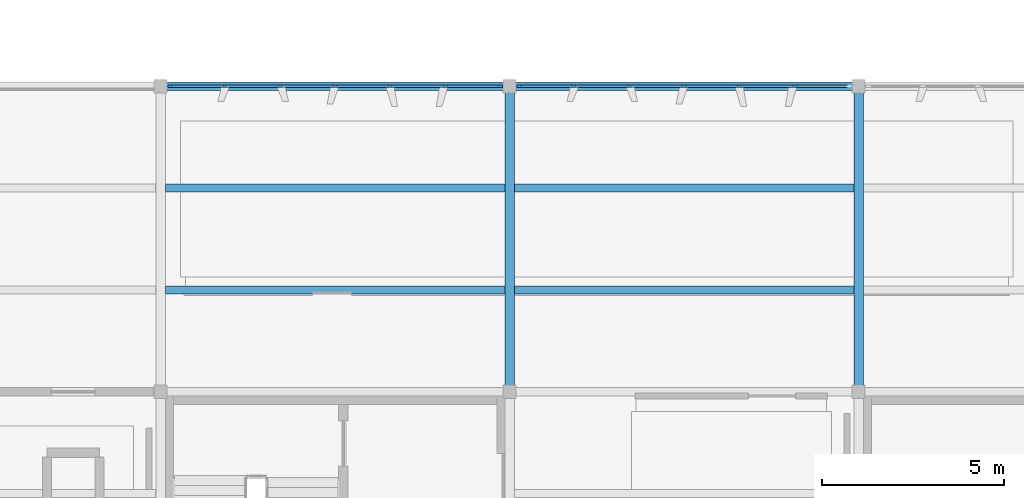
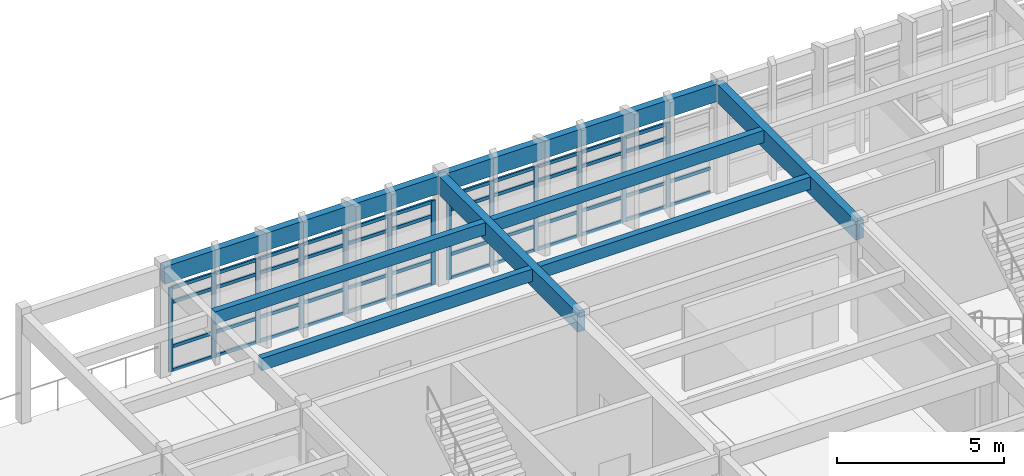
# One storey, part 5 of 18: 59 members, 8 beams, 2 elements without a shape of their own.
"""IFC4 building model written with IfcOpenShell, lengths in metres."""

from ifc_helpers import new_model, si_unit, direction, frame, origin, origin_2d, place, context, subcontext, project, spatial, rectangle, extrude, material, layer, layer_set, material_profile, profile_set, type_object, element, aggregate, save


model = new_model("IFC4")

# Units and contexts
model_context = context("Model", 3, precision=1e-05, world=origin(), true_north=direction((0.0, 1.0)))
body_context = subcontext(model_context, "Body", "Model", "MODEL_VIEW")
ifc_project = project(units=[si_unit("LENGTHUNIT", "METRE"), si_unit("AREAUNIT", "SQUARE_METRE"), si_unit("VOLUMEUNIT", "CUBIC_METRE"), si_unit("PLANEANGLEUNIT", "RADIAN"), si_unit("MASSUNIT", "GRAM", prefix="KILO")], contexts=[model_context])

# Site, building, storey
site_placement = place(None, origin())
site = spatial("IfcSite", under=ifc_project, at=site_placement, CompositionType="ELEMENT")
building_placement = place(site_placement, origin())
building = spatial("IfcBuilding", under=site, at=building_placement, Name="Kolvemor Railside Polytechnic", CompositionType="ELEMENT")
storey_placement = place(building_placement, frame((0.0, 0.0, 18.60009765625)))
storey = spatial("IfcBuildingStorey", under=building, at=storey_placement, Name="L04", CompositionType="ELEMENT", Elevation=18.60009765625)

# Beams
ifc_material_1 = material(Name="Glulam GL28h", Category="wood")
ifc_material_profile_1 = material_profile(ifc_material_1, rectangle(XDim=0.264892578125, YDim=0.679931640625, at=origin_2d()), Name="GL265x680")
ifc_profile_set_1 = profile_set([ifc_material_profile_1], Name="Glulam GL28h")
beam_type_1 = type_object("IfcBeamType", Name="BM-GL-GIRD2", PredefinedType="BEAM", material=ifc_profile_set_1)
for number, where, z_axis, x_axis, name in (
    (1, (76.800048828125, 30.0, 3.6298828125), (0.0, 1.0, 0.0), (-1.0, 0.0, 0.0), "Primary Girder L05-GY 1559"),
    (2, (86.39990234375, 30.0, 3.6298828125), (0.0, 1.0, 0.0), (-1.0, 0.0, 0.0), "Primary Girder L05-GY 1563"),
):
    element("IfcBeam", number, at=place(storey_placement, frame(where, z_axis=z_axis, x_axis=x_axis)), inside=storey, type_object=beam_type_1, Name=name, PredefinedType="BEAM", context=body_context, shape_type="SweptSolid", body=[
        extrude(rectangle(XDim=0.264892578125, YDim=0.679931640625, at=origin_2d()), origin(), (0.0, 0.0, 1.0), 8.39990234375),
    ])
ifc_material_2 = material(Name="Glulam GL28h", Category="wood")
ifc_material_profile_2 = material_profile(ifc_material_2, rectangle(XDim=0.239990234375, YDim=0.639892578125, at=origin_2d()), Name="GL240x640")
ifc_profile_set_2 = profile_set([ifc_material_profile_2], Name="Glulam GL28h")
beam_type_2 = type_object("IfcBeamType", Name="BM-GL-GIRD5", PredefinedType="BEAM", material=ifc_profile_set_2)
beam_1_placement = place(storey_placement, frame((67.199951171875, 38.39990234375, 3.64990234375), z_axis=(1.0, 0.0, 0.0), x_axis=(0.0, 1.0, 0.0)))
element("IfcBeam", 3, at=beam_1_placement, inside=storey, type_object=beam_type_2, Name="Primary Girder L05-GX 1543", PredefinedType="BEAM", context=body_context, shape_type="SweptSolid", body=[
    extrude(rectangle(XDim=0.239990234375, YDim=0.639892578125, at=origin_2d()), origin(), (0.0, 0.0, 1.0), 9.60009765625),
])
beam_2_placement = place(storey_placement, frame((76.800048828125, 38.39990234375, 3.64990234375), z_axis=(1.0, 0.0, 0.0), x_axis=(0.0, 1.0, 0.0)))
element("IfcBeam", 4, at=beam_2_placement, inside=storey, type_object=beam_type_2, Name="Primary Girder L05-GX 1544", PredefinedType="BEAM", context=body_context, shape_type="SweptSolid", body=[
    extrude(rectangle(XDim=0.239990234375, YDim=0.639892578125, at=origin_2d()), origin(), (0.0, 0.0, 1.0), 9.599853515625),
])
ifc_material_3 = material(Name="Glulam GL28h", Category="wood")
ifc_material_profile_3 = material_profile(ifc_material_3, rectangle(XDim=0.215087890625, YDim=0.449951171875, at=origin_2d()), Name="GL215x450")
ifc_profile_set_3 = profile_set([ifc_material_profile_3], Name="Glulam GL28h")
beam_type_3 = type_object("IfcBeamType", Name="BM-GL-JST2", PredefinedType="JOIST", material=ifc_profile_set_3)
for number, where, z_axis, x_axis, name in (
    (5, (67.3330078125, 32.800048828125, 3.744873046875), (1.0, 0.0, 0.0), (0.0, 1.0, 0.0), "Floor Joist L05-J1588"),
    (6, (67.3330078125, 35.60009765625, 3.744873046875), (1.0, 0.0, 0.0), (0.0, 1.0, 0.0), "Floor Joist L05-J1589"),
    (7, (76.93310546875, 32.800048828125, 3.744873046875), (1.0, 0.0, 0.0), (0.0, 1.0, 0.0), "Floor Joist L05-J1596"),
    (8, (76.93310546875, 35.60009765625, 3.744873046875), (1.0, 0.0, 0.0), (0.0, 1.0, 0.0), "Floor Joist L05-J1597"),
):
    element("IfcBeam", number, at=place(storey_placement, frame(where, z_axis=z_axis, x_axis=x_axis)), inside=storey, type_object=beam_type_3, Name=name, PredefinedType="JOIST", context=body_context, shape_type="SweptSolid", body=[
        extrude(rectangle(XDim=0.215087890625, YDim=0.449951171875, at=origin_2d()), origin(), (0.0, 0.0, 1.0), 9.333984375),
    ])

# Curtain wall, members
ifc_material_4 = material(Name="Anodised marine aluminium and laminated low-E glass", Category="aluminium")
ifc_layer = layer(ifc_material_4, 0.179931640625, Name="CW-UNIT-STD")
ifc_layer_set = layer_set([ifc_layer], Name="Anodised marine aluminium and laminated low-E glass")
curtain_wall_type = type_object("IfcCurtainWallType", Name="CW-UNIT-STD", PredefinedType="USERDEFINED", material=ifc_layer_set)
curtain_wall_1_placement = place(storey_placement, origin())
curtain_wall_1 = element("IfcCurtainWall", 9, at=curtain_wall_1_placement, inside=storey, type_object=curtain_wall_type, Name="Curtain Wall L04-131", ObjectType="UNITISED CURTAIN WALL", PredefinedType="USERDEFINED")
ifc_material_5 = material(Name="Anodised marine aluminium 6063-T6", Category="aluminium")
ifc_material_profile_4 = material_profile(ifc_material_5, rectangle(XDim=0.06494140625, YDim=0.14990234375, at=origin_2d()), Name="CW-MUL-65x150")
ifc_profile_set_4 = profile_set([ifc_material_profile_4], Name="Anodised marine aluminium 6063-T6")
member_type_1 = type_object("IfcMemberType", Name="CWM-65x150", PredefinedType="MULLION", material=ifc_profile_set_4)
member_1_placement = place(storey_placement, frame((76.527587890625, 38.39990234375, 0.0), z_axis=(0.0, 0.0, 1.0), x_axis=(0.0, -1.0, 0.0)))
member_1 = element("IfcMember", 10, at=member_1_placement, type_object=member_type_1, Name="CW-STD mullion 1", PredefinedType="MULLION", context=body_context, shape_type="SweptSolid", body=[
    extrude(rectangle(XDim=0.06494140625, YDim=0.14990234375, at=origin_2d()), origin(), (0.0, 0.0, 1.0), 3.06982421875),
])
member_2_placement = place(storey_placement, frame((75.0400390625, 38.39990234375, 0.0), z_axis=(0.0, 0.0, 1.0), x_axis=(0.0, -1.0, 0.0)))
member_2 = element("IfcMember", 11, at=member_2_placement, type_object=member_type_1, Name="CW-STD mullion 2", PredefinedType="MULLION", context=body_context, shape_type="SweptSolid", body=[
    extrude(rectangle(XDim=0.06494140625, YDim=0.14990234375, at=origin_2d()), origin(), (0.0, 0.0, 1.0), 3.06982421875),
])
member_3_placement = place(storey_placement, frame((73.52001953125, 38.39990234375, 0.0), z_axis=(0.0, 0.0, 1.0), x_axis=(0.0, -1.0, 0.0)))
member_3 = element("IfcMember", 12, at=member_3_placement, type_object=member_type_1, Name="CW-STD mullion 3", PredefinedType="MULLION", context=body_context, shape_type="SweptSolid", body=[
    extrude(rectangle(XDim=0.06494140625, YDim=0.14990234375, at=origin_2d()), origin(), (0.0, 0.0, 1.0), 3.06982421875),
])
member_4_placement = place(storey_placement, frame((72.0, 38.39990234375, 0.0), z_axis=(0.0, 0.0, 1.0), x_axis=(0.0, -1.0, 0.0)))
member_4 = element("IfcMember", 13, at=member_4_placement, type_object=member_type_1, Name="CW-STD mullion 4", PredefinedType="MULLION", context=body_context, shape_type="SweptSolid", body=[
    extrude(rectangle(XDim=0.06494140625, YDim=0.14990234375, at=origin_2d()), origin(), (0.0, 0.0, 1.0), 3.06982421875),
])
member_5_placement = place(storey_placement, frame((70.47998046875, 38.39990234375, 0.0), z_axis=(0.0, 0.0, 1.0), x_axis=(0.0, -1.0, 0.0)))
member_5 = element("IfcMember", 14, at=member_5_placement, type_object=member_type_1, Name="CW-STD mullion 5", PredefinedType="MULLION", context=body_context, shape_type="SweptSolid", body=[
    extrude(rectangle(XDim=0.06494140625, YDim=0.14990234375, at=origin_2d()), origin(), (0.0, 0.0, 1.0), 3.06982421875),
])
member_6_placement = place(storey_placement, frame((68.9599609375, 38.39990234375, 0.0), z_axis=(0.0, 0.0, 1.0), x_axis=(0.0, -1.0, 0.0)))
member_6 = element("IfcMember", 15, at=member_6_placement, type_object=member_type_1, Name="CW-STD mullion 6", PredefinedType="MULLION", context=body_context, shape_type="SweptSolid", body=[
    extrude(rectangle(XDim=0.06494140625, YDim=0.14990234375, at=origin_2d()), origin(), (0.0, 0.0, 1.0), 3.06982421875),
])
member_7_placement = place(storey_placement, frame((67.472412109375, 38.39990234375, 0.0), z_axis=(0.0, 0.0, 1.0), x_axis=(0.0, -1.0, 0.0)))
member_7 = element("IfcMember", 16, at=member_7_placement, type_object=member_type_1, Name="CW-STD mullion 7", PredefinedType="MULLION", context=body_context, shape_type="SweptSolid", body=[
    extrude(rectangle(XDim=0.06494140625, YDim=0.14990234375, at=origin_2d()), origin(), (0.0, 0.0, 1.0), 3.06982421875),
])

curtain_wall_2_placement = place(storey_placement, origin())
curtain_wall_2 = element("IfcCurtainWall", 17, at=curtain_wall_2_placement, inside=storey, type_object=curtain_wall_type, Name="Curtain Wall L04-132", ObjectType="UNITISED CURTAIN WALL", PredefinedType="USERDEFINED")
member_8_placement = place(storey_placement, frame((84.639892578125, 38.39990234375, 0.0), z_axis=(0.0, 0.0, 1.0), x_axis=(0.0, -1.0, 0.0)))
member_8 = element("IfcMember", 18, at=member_8_placement, type_object=member_type_1, Name="CW-STD mullion 2", PredefinedType="MULLION", context=body_context, shape_type="SweptSolid", body=[
    extrude(rectangle(XDim=0.06494140625, YDim=0.14990234375, at=origin_2d()), origin(), (0.0, 0.0, 1.0), 3.06982421875),
])
member_9_placement = place(storey_placement, frame((83.1201171875, 38.39990234375, 0.0), z_axis=(0.0, 0.0, 1.0), x_axis=(0.0, -1.0, 0.0)))
member_9 = element("IfcMember", 19, at=member_9_placement, type_object=member_type_1, Name="CW-STD mullion 3", PredefinedType="MULLION", context=body_context, shape_type="SweptSolid", body=[
    extrude(rectangle(XDim=0.06494140625, YDim=0.14990234375, at=origin_2d()), origin(), (0.0, 0.0, 1.0), 3.06982421875),
])
member_10_placement = place(storey_placement, frame((81.60009765625, 38.39990234375, 0.0), z_axis=(0.0, 0.0, 1.0), x_axis=(0.0, -1.0, 0.0)))
member_10 = element("IfcMember", 20, at=member_10_placement, type_object=member_type_1, Name="CW-STD mullion 4", PredefinedType="MULLION", context=body_context, shape_type="SweptSolid", body=[
    extrude(rectangle(XDim=0.06494140625, YDim=0.14990234375, at=origin_2d()), origin(), (0.0, 0.0, 1.0), 3.06982421875),
])
member_11_placement = place(storey_placement, frame((80.080078125, 38.39990234375, 0.0), z_axis=(0.0, 0.0, 1.0), x_axis=(0.0, -1.0, 0.0)))
member_11 = element("IfcMember", 21, at=member_11_placement, type_object=member_type_1, Name="CW-STD mullion 5", PredefinedType="MULLION", context=body_context, shape_type="SweptSolid", body=[
    extrude(rectangle(XDim=0.06494140625, YDim=0.14990234375, at=origin_2d()), origin(), (0.0, 0.0, 1.0), 3.06982421875),
])
member_12_placement = place(storey_placement, frame((78.56005859375, 38.39990234375, 0.0), z_axis=(0.0, 0.0, 1.0), x_axis=(0.0, -1.0, 0.0)))
member_12 = element("IfcMember", 22, at=member_12_placement, type_object=member_type_1, Name="CW-STD mullion 6", PredefinedType="MULLION", context=body_context, shape_type="SweptSolid", body=[
    extrude(rectangle(XDim=0.06494140625, YDim=0.14990234375, at=origin_2d()), origin(), (0.0, 0.0, 1.0), 3.06982421875),
])
member_13_placement = place(storey_placement, frame((77.072509765625, 38.39990234375, 0.0), z_axis=(0.0, 0.0, 1.0), x_axis=(0.0, -1.0, 0.0)))
member_13 = element("IfcMember", 23, at=member_13_placement, type_object=member_type_1, Name="CW-STD mullion 7", PredefinedType="MULLION", context=body_context, shape_type="SweptSolid", body=[
    extrude(rectangle(XDim=0.06494140625, YDim=0.14990234375, at=origin_2d()), origin(), (0.0, 0.0, 1.0), 3.06982421875),
])

# Member
ifc_material_6 = material(Name="Anodised marine aluminium 6063-T6", Category="aluminium")
ifc_material_profile_5 = material_profile(ifc_material_6, rectangle(XDim=0.06494140625, YDim=0.1201171875, at=origin_2d()), Name="CW-TRN-65x120")
ifc_profile_set_5 = profile_set([ifc_material_profile_5], Name="Anodised marine aluminium 6063-T6")
member_type_2 = type_object("IfcMemberType", Name="CWT-65x120", PredefinedType="USERDEFINED", material=ifc_profile_set_5)
member_14_placement = place(storey_placement, frame((76.4951171875, 38.39990234375, 0.032470703125), z_axis=(-1.0, 0.0, 0.0), x_axis=(0.0, -1.0, 0.0)))
member_14 = element("IfcMember", 24, at=member_14_placement, type_object=member_type_2, Name="CW-STD transom 1.1", ObjectType="TRANSOM", PredefinedType="USERDEFINED", context=body_context, shape_type="SweptSolid", body=[
    extrude(rectangle(XDim=0.06494140625, YDim=0.1201171875, at=origin_2d()), origin(), (0.0, 0.0, 1.0), 1.422607421875),
])

member_15_placement = place(storey_placement, frame((76.4951171875, 38.39990234375, 0.89990234375), z_axis=(-1.0, 0.0, 0.0), x_axis=(0.0, -1.0, 0.0)))
member_15 = element("IfcMember", 25, at=member_15_placement, type_object=member_type_2, Name="CW-STD transom 1.2", ObjectType="TRANSOM", PredefinedType="USERDEFINED", context=body_context, shape_type="SweptSolid", body=[
    extrude(rectangle(XDim=0.06494140625, YDim=0.1201171875, at=origin_2d()), origin(), (0.0, 0.0, 1.0), 1.422607421875),
])

member_16_placement = place(storey_placement, frame((76.4951171875, 38.39990234375, 2.52001953125), z_axis=(-1.0, 0.0, 0.0), x_axis=(0.0, -1.0, 0.0)))
member_16 = element("IfcMember", 26, at=member_16_placement, type_object=member_type_2, Name="CW-STD transom 1.3", ObjectType="TRANSOM", PredefinedType="USERDEFINED", context=body_context, shape_type="SweptSolid", body=[
    extrude(rectangle(XDim=0.06494140625, YDim=0.1201171875, at=origin_2d()), origin(), (0.0, 0.0, 1.0), 1.422607421875),
])

member_17_placement = place(storey_placement, frame((76.4951171875, 38.39990234375, 3.037353515625), z_axis=(-1.0, 0.0, 0.0), x_axis=(0.0, -1.0, 0.0)))
member_17 = element("IfcMember", 27, at=member_17_placement, type_object=member_type_2, Name="CW-STD transom 1.4", ObjectType="TRANSOM", PredefinedType="USERDEFINED", context=body_context, shape_type="SweptSolid", body=[
    extrude(rectangle(XDim=0.06494140625, YDim=0.1201171875, at=origin_2d()), origin(), (0.0, 0.0, 1.0), 1.422607421875),
])

member_18_placement = place(storey_placement, frame((75.007568359375, 38.39990234375, 0.032470703125), z_axis=(-1.0, 0.0, 0.0), x_axis=(0.0, -1.0, 0.0)))
member_18 = element("IfcMember", 28, at=member_18_placement, type_object=member_type_2, Name="CW-STD transom 2.1", ObjectType="TRANSOM", PredefinedType="USERDEFINED", context=body_context, shape_type="SweptSolid", body=[
    extrude(rectangle(XDim=0.06494140625, YDim=0.1201171875, at=origin_2d()), origin(), (0.0, 0.0, 1.0), 1.455078125),
])

member_19_placement = place(storey_placement, frame((75.007568359375, 38.39990234375, 0.89990234375), z_axis=(-1.0, 0.0, 0.0), x_axis=(0.0, -1.0, 0.0)))
member_19 = element("IfcMember", 29, at=member_19_placement, type_object=member_type_2, Name="CW-STD transom 2.2", ObjectType="TRANSOM", PredefinedType="USERDEFINED", context=body_context, shape_type="SweptSolid", body=[
    extrude(rectangle(XDim=0.06494140625, YDim=0.1201171875, at=origin_2d()), origin(), (0.0, 0.0, 1.0), 1.455078125),
])

member_20_placement = place(storey_placement, frame((75.007568359375, 38.39990234375, 2.52001953125), z_axis=(-1.0, 0.0, 0.0), x_axis=(0.0, -1.0, 0.0)))
member_20 = element("IfcMember", 30, at=member_20_placement, type_object=member_type_2, Name="CW-STD transom 2.3", ObjectType="TRANSOM", PredefinedType="USERDEFINED", context=body_context, shape_type="SweptSolid", body=[
    extrude(rectangle(XDim=0.06494140625, YDim=0.1201171875, at=origin_2d()), origin(), (0.0, 0.0, 1.0), 1.455078125),
])

member_21_placement = place(storey_placement, frame((75.007568359375, 38.39990234375, 3.037353515625), z_axis=(-1.0, 0.0, 0.0), x_axis=(0.0, -1.0, 0.0)))
member_21 = element("IfcMember", 31, at=member_21_placement, type_object=member_type_2, Name="CW-STD transom 2.4", ObjectType="TRANSOM", PredefinedType="USERDEFINED", context=body_context, shape_type="SweptSolid", body=[
    extrude(rectangle(XDim=0.06494140625, YDim=0.1201171875, at=origin_2d()), origin(), (0.0, 0.0, 1.0), 1.455078125),
])

member_22_placement = place(storey_placement, frame((73.487548828125, 38.39990234375, 0.032470703125), z_axis=(-1.0, 0.0, 0.0), x_axis=(0.0, -1.0, 0.0)))
member_22 = element("IfcMember", 32, at=member_22_placement, type_object=member_type_2, Name="CW-STD transom 3.1", ObjectType="TRANSOM", PredefinedType="USERDEFINED", context=body_context, shape_type="SweptSolid", body=[
    extrude(rectangle(XDim=0.06494140625, YDim=0.1201171875, at=origin_2d()), origin(), (0.0, 0.0, 1.0), 1.455078125),
])

member_23_placement = place(storey_placement, frame((73.487548828125, 38.39990234375, 0.89990234375), z_axis=(-1.0, 0.0, 0.0), x_axis=(0.0, -1.0, 0.0)))
member_23 = element("IfcMember", 33, at=member_23_placement, type_object=member_type_2, Name="CW-STD transom 3.2", ObjectType="TRANSOM", PredefinedType="USERDEFINED", context=body_context, shape_type="SweptSolid", body=[
    extrude(rectangle(XDim=0.06494140625, YDim=0.1201171875, at=origin_2d()), origin(), (0.0, 0.0, 1.0), 1.455078125),
])

member_24_placement = place(storey_placement, frame((73.487548828125, 38.39990234375, 2.52001953125), z_axis=(-1.0, 0.0, 0.0), x_axis=(0.0, -1.0, 0.0)))
member_24 = element("IfcMember", 34, at=member_24_placement, type_object=member_type_2, Name="CW-STD transom 3.3", ObjectType="TRANSOM", PredefinedType="USERDEFINED", context=body_context, shape_type="SweptSolid", body=[
    extrude(rectangle(XDim=0.06494140625, YDim=0.1201171875, at=origin_2d()), origin(), (0.0, 0.0, 1.0), 1.455078125),
])

member_25_placement = place(storey_placement, frame((73.487548828125, 38.39990234375, 3.037353515625), z_axis=(-1.0, 0.0, 0.0), x_axis=(0.0, -1.0, 0.0)))
member_25 = element("IfcMember", 35, at=member_25_placement, type_object=member_type_2, Name="CW-STD transom 3.4", ObjectType="TRANSOM", PredefinedType="USERDEFINED", context=body_context, shape_type="SweptSolid", body=[
    extrude(rectangle(XDim=0.06494140625, YDim=0.1201171875, at=origin_2d()), origin(), (0.0, 0.0, 1.0), 1.455078125),
])

member_26_placement = place(storey_placement, frame((71.967529296875, 38.39990234375, 0.032470703125), z_axis=(-1.0, 0.0, 0.0), x_axis=(0.0, -1.0, 0.0)))
member_26 = element("IfcMember", 36, at=member_26_placement, type_object=member_type_2, Name="CW-STD transom 4.1", ObjectType="TRANSOM", PredefinedType="USERDEFINED", context=body_context, shape_type="SweptSolid", body=[
    extrude(rectangle(XDim=0.06494140625, YDim=0.1201171875, at=origin_2d()), origin(), (0.0, 0.0, 1.0), 1.455078125),
])

member_27_placement = place(storey_placement, frame((71.967529296875, 38.39990234375, 0.89990234375), z_axis=(-1.0, 0.0, 0.0), x_axis=(0.0, -1.0, 0.0)))
member_27 = element("IfcMember", 37, at=member_27_placement, type_object=member_type_2, Name="CW-STD transom 4.2", ObjectType="TRANSOM", PredefinedType="USERDEFINED", context=body_context, shape_type="SweptSolid", body=[
    extrude(rectangle(XDim=0.06494140625, YDim=0.1201171875, at=origin_2d()), origin(), (0.0, 0.0, 1.0), 1.455078125),
])

member_28_placement = place(storey_placement, frame((71.967529296875, 38.39990234375, 2.52001953125), z_axis=(-1.0, 0.0, 0.0), x_axis=(0.0, -1.0, 0.0)))
member_28 = element("IfcMember", 38, at=member_28_placement, type_object=member_type_2, Name="CW-STD transom 4.3", ObjectType="TRANSOM", PredefinedType="USERDEFINED", context=body_context, shape_type="SweptSolid", body=[
    extrude(rectangle(XDim=0.06494140625, YDim=0.1201171875, at=origin_2d()), origin(), (0.0, 0.0, 1.0), 1.455078125),
])

member_29_placement = place(storey_placement, frame((71.967529296875, 38.39990234375, 3.037353515625), z_axis=(-1.0, 0.0, 0.0), x_axis=(0.0, -1.0, 0.0)))
member_29 = element("IfcMember", 39, at=member_29_placement, type_object=member_type_2, Name="CW-STD transom 4.4", ObjectType="TRANSOM", PredefinedType="USERDEFINED", context=body_context, shape_type="SweptSolid", body=[
    extrude(rectangle(XDim=0.06494140625, YDim=0.1201171875, at=origin_2d()), origin(), (0.0, 0.0, 1.0), 1.455078125),
])

member_30_placement = place(storey_placement, frame((70.447509765625, 38.39990234375, 0.032470703125), z_axis=(-1.0, 0.0, 0.0), x_axis=(0.0, -1.0, 0.0)))
member_30 = element("IfcMember", 40, at=member_30_placement, type_object=member_type_2, Name="CW-STD transom 5.1", ObjectType="TRANSOM", PredefinedType="USERDEFINED", context=body_context, shape_type="SweptSolid", body=[
    extrude(rectangle(XDim=0.06494140625, YDim=0.1201171875, at=origin_2d()), origin(), (0.0, 0.0, 1.0), 1.455078125),
])

member_31_placement = place(storey_placement, frame((70.447509765625, 38.39990234375, 0.89990234375), z_axis=(-1.0, 0.0, 0.0), x_axis=(0.0, -1.0, 0.0)))
member_31 = element("IfcMember", 41, at=member_31_placement, type_object=member_type_2, Name="CW-STD transom 5.2", ObjectType="TRANSOM", PredefinedType="USERDEFINED", context=body_context, shape_type="SweptSolid", body=[
    extrude(rectangle(XDim=0.06494140625, YDim=0.1201171875, at=origin_2d()), origin(), (0.0, 0.0, 1.0), 1.455078125),
])

member_32_placement = place(storey_placement, frame((70.447509765625, 38.39990234375, 2.52001953125), z_axis=(-1.0, 0.0, 0.0), x_axis=(0.0, -1.0, 0.0)))
member_32 = element("IfcMember", 42, at=member_32_placement, type_object=member_type_2, Name="CW-STD transom 5.3", ObjectType="TRANSOM", PredefinedType="USERDEFINED", context=body_context, shape_type="SweptSolid", body=[
    extrude(rectangle(XDim=0.06494140625, YDim=0.1201171875, at=origin_2d()), origin(), (0.0, 0.0, 1.0), 1.455078125),
])

member_33_placement = place(storey_placement, frame((70.447509765625, 38.39990234375, 3.037353515625), z_axis=(-1.0, 0.0, 0.0), x_axis=(0.0, -1.0, 0.0)))
member_33 = element("IfcMember", 43, at=member_33_placement, type_object=member_type_2, Name="CW-STD transom 5.4", ObjectType="TRANSOM", PredefinedType="USERDEFINED", context=body_context, shape_type="SweptSolid", body=[
    extrude(rectangle(XDim=0.06494140625, YDim=0.1201171875, at=origin_2d()), origin(), (0.0, 0.0, 1.0), 1.455078125),
])

member_34_placement = place(storey_placement, frame((68.927490234375, 38.39990234375, 0.032470703125), z_axis=(-1.0, 0.0, 0.0), x_axis=(0.0, -1.0, 0.0)))
member_34 = element("IfcMember", 44, at=member_34_placement, type_object=member_type_2, Name="CW-STD transom 6.1", ObjectType="TRANSOM", PredefinedType="USERDEFINED", context=body_context, shape_type="SweptSolid", body=[
    extrude(rectangle(XDim=0.06494140625, YDim=0.1201171875, at=origin_2d()), origin(), (0.0, 0.0, 1.0), 1.422607421875),
])

member_35_placement = place(storey_placement, frame((68.927490234375, 38.39990234375, 0.89990234375), z_axis=(-1.0, 0.0, 0.0), x_axis=(0.0, -1.0, 0.0)))
member_35 = element("IfcMember", 45, at=member_35_placement, type_object=member_type_2, Name="CW-STD transom 6.2", ObjectType="TRANSOM", PredefinedType="USERDEFINED", context=body_context, shape_type="SweptSolid", body=[
    extrude(rectangle(XDim=0.06494140625, YDim=0.1201171875, at=origin_2d()), origin(), (0.0, 0.0, 1.0), 1.422607421875),
])

member_36_placement = place(storey_placement, frame((68.927490234375, 38.39990234375, 2.52001953125), z_axis=(-1.0, 0.0, 0.0), x_axis=(0.0, -1.0, 0.0)))
member_36 = element("IfcMember", 46, at=member_36_placement, type_object=member_type_2, Name="CW-STD transom 6.3", ObjectType="TRANSOM", PredefinedType="USERDEFINED", context=body_context, shape_type="SweptSolid", body=[
    extrude(rectangle(XDim=0.06494140625, YDim=0.1201171875, at=origin_2d()), origin(), (0.0, 0.0, 1.0), 1.422607421875),
])

member_37_placement = place(storey_placement, frame((68.927490234375, 38.39990234375, 3.037353515625), z_axis=(-1.0, 0.0, 0.0), x_axis=(0.0, -1.0, 0.0)))
member_37 = element("IfcMember", 47, at=member_37_placement, type_object=member_type_2, Name="CW-STD transom 6.4", ObjectType="TRANSOM", PredefinedType="USERDEFINED", context=body_context, shape_type="SweptSolid", body=[
    extrude(rectangle(XDim=0.06494140625, YDim=0.1201171875, at=origin_2d()), origin(), (0.0, 0.0, 1.0), 1.422607421875),
])

aggregate(curtain_wall_1, [member_1, member_2, member_3, member_4, member_5, member_6, member_7, member_14, member_15, member_16, member_17, member_18, member_19, member_20, member_21, member_22, member_23, member_24, member_25, member_26, member_27, member_28, member_29, member_30, member_31, member_32, member_33, member_34, member_35, member_36, member_37])

member_38_placement = place(storey_placement, frame((86.094970703125, 38.39990234375, 0.032470703125), z_axis=(-1.0, 0.0, 0.0), x_axis=(0.0, -1.0, 0.0)))
member_38 = element("IfcMember", 48, at=member_38_placement, type_object=member_type_2, Name="CW-STD transom 1.1", ObjectType="TRANSOM", PredefinedType="USERDEFINED", context=body_context, shape_type="SweptSolid", body=[
    extrude(rectangle(XDim=0.06494140625, YDim=0.1201171875, at=origin_2d()), origin(), (0.0, 0.0, 1.0), 1.42236328125),
])

member_39_placement = place(storey_placement, frame((86.094970703125, 38.39990234375, 0.89990234375), z_axis=(-1.0, 0.0, 0.0), x_axis=(0.0, -1.0, 0.0)))
member_39 = element("IfcMember", 49, at=member_39_placement, type_object=member_type_2, Name="CW-STD transom 1.2", ObjectType="TRANSOM", PredefinedType="USERDEFINED", context=body_context, shape_type="SweptSolid", body=[
    extrude(rectangle(XDim=0.06494140625, YDim=0.1201171875, at=origin_2d()), origin(), (0.0, 0.0, 1.0), 1.42236328125),
])

member_40_placement = place(storey_placement, frame((84.607421875, 38.39990234375, 0.032470703125), z_axis=(-1.0, 0.0, 0.0), x_axis=(0.0, -1.0, 0.0)))
member_40 = element("IfcMember", 50, at=member_40_placement, type_object=member_type_2, Name="CW-STD transom 2.1", ObjectType="TRANSOM", PredefinedType="USERDEFINED", context=body_context, shape_type="SweptSolid", body=[
    extrude(rectangle(XDim=0.06494140625, YDim=0.1201171875, at=origin_2d()), origin(), (0.0, 0.0, 1.0), 1.454833984375),
])

member_41_placement = place(storey_placement, frame((84.607421875, 38.39990234375, 0.89990234375), z_axis=(-1.0, 0.0, 0.0), x_axis=(0.0, -1.0, 0.0)))
member_41 = element("IfcMember", 51, at=member_41_placement, type_object=member_type_2, Name="CW-STD transom 2.2", ObjectType="TRANSOM", PredefinedType="USERDEFINED", context=body_context, shape_type="SweptSolid", body=[
    extrude(rectangle(XDim=0.06494140625, YDim=0.1201171875, at=origin_2d()), origin(), (0.0, 0.0, 1.0), 1.454833984375),
])

member_42_placement = place(storey_placement, frame((84.607421875, 38.39990234375, 2.52001953125), z_axis=(-1.0, 0.0, 0.0), x_axis=(0.0, -1.0, 0.0)))
member_42 = element("IfcMember", 52, at=member_42_placement, type_object=member_type_2, Name="CW-STD transom 2.3", ObjectType="TRANSOM", PredefinedType="USERDEFINED", context=body_context, shape_type="SweptSolid", body=[
    extrude(rectangle(XDim=0.06494140625, YDim=0.1201171875, at=origin_2d()), origin(), (0.0, 0.0, 1.0), 1.454833984375),
])

member_43_placement = place(storey_placement, frame((84.607421875, 38.39990234375, 3.037353515625), z_axis=(-1.0, 0.0, 0.0), x_axis=(0.0, -1.0, 0.0)))
member_43 = element("IfcMember", 53, at=member_43_placement, type_object=member_type_2, Name="CW-STD transom 2.4", ObjectType="TRANSOM", PredefinedType="USERDEFINED", context=body_context, shape_type="SweptSolid", body=[
    extrude(rectangle(XDim=0.06494140625, YDim=0.1201171875, at=origin_2d()), origin(), (0.0, 0.0, 1.0), 1.454833984375),
])

member_44_placement = place(storey_placement, frame((83.08740234375, 38.39990234375, 0.032470703125), z_axis=(-1.0, 0.0, 0.0), x_axis=(0.0, -1.0, 0.0)))
member_44 = element("IfcMember", 54, at=member_44_placement, type_object=member_type_2, Name="CW-STD transom 3.1", ObjectType="TRANSOM", PredefinedType="USERDEFINED", context=body_context, shape_type="SweptSolid", body=[
    extrude(rectangle(XDim=0.06494140625, YDim=0.1201171875, at=origin_2d()), origin(), (0.0, 0.0, 1.0), 1.454833984375),
])

member_45_placement = place(storey_placement, frame((83.08740234375, 38.39990234375, 0.89990234375), z_axis=(-1.0, 0.0, 0.0), x_axis=(0.0, -1.0, 0.0)))
member_45 = element("IfcMember", 55, at=member_45_placement, type_object=member_type_2, Name="CW-STD transom 3.2", ObjectType="TRANSOM", PredefinedType="USERDEFINED", context=body_context, shape_type="SweptSolid", body=[
    extrude(rectangle(XDim=0.06494140625, YDim=0.1201171875, at=origin_2d()), origin(), (0.0, 0.0, 1.0), 1.454833984375),
])

member_46_placement = place(storey_placement, frame((83.08740234375, 38.39990234375, 2.52001953125), z_axis=(-1.0, 0.0, 0.0), x_axis=(0.0, -1.0, 0.0)))
member_46 = element("IfcMember", 56, at=member_46_placement, type_object=member_type_2, Name="CW-STD transom 3.3", ObjectType="TRANSOM", PredefinedType="USERDEFINED", context=body_context, shape_type="SweptSolid", body=[
    extrude(rectangle(XDim=0.06494140625, YDim=0.1201171875, at=origin_2d()), origin(), (0.0, 0.0, 1.0), 1.454833984375),
])

member_47_placement = place(storey_placement, frame((83.08740234375, 38.39990234375, 3.037353515625), z_axis=(-1.0, 0.0, 0.0), x_axis=(0.0, -1.0, 0.0)))
member_47 = element("IfcMember", 57, at=member_47_placement, type_object=member_type_2, Name="CW-STD transom 3.4", ObjectType="TRANSOM", PredefinedType="USERDEFINED", context=body_context, shape_type="SweptSolid", body=[
    extrude(rectangle(XDim=0.06494140625, YDim=0.1201171875, at=origin_2d()), origin(), (0.0, 0.0, 1.0), 1.454833984375),
])

member_48_placement = place(storey_placement, frame((81.5673828125, 38.39990234375, 0.032470703125), z_axis=(-1.0, 0.0, 0.0), x_axis=(0.0, -1.0, 0.0)))
member_48 = element("IfcMember", 58, at=member_48_placement, type_object=member_type_2, Name="CW-STD transom 4.1", ObjectType="TRANSOM", PredefinedType="USERDEFINED", context=body_context, shape_type="SweptSolid", body=[
    extrude(rectangle(XDim=0.06494140625, YDim=0.1201171875, at=origin_2d()), origin(), (0.0, 0.0, 1.0), 1.454833984375),
])

member_49_placement = place(storey_placement, frame((81.5673828125, 38.39990234375, 0.89990234375), z_axis=(-1.0, 0.0, 0.0), x_axis=(0.0, -1.0, 0.0)))
member_49 = element("IfcMember", 59, at=member_49_placement, type_object=member_type_2, Name="CW-STD transom 4.2", ObjectType="TRANSOM", PredefinedType="USERDEFINED", context=body_context, shape_type="SweptSolid", body=[
    extrude(rectangle(XDim=0.06494140625, YDim=0.1201171875, at=origin_2d()), origin(), (0.0, 0.0, 1.0), 1.454833984375),
])

member_50_placement = place(storey_placement, frame((81.5673828125, 38.39990234375, 2.52001953125), z_axis=(-1.0, 0.0, 0.0), x_axis=(0.0, -1.0, 0.0)))
member_50 = element("IfcMember", 60, at=member_50_placement, type_object=member_type_2, Name="CW-STD transom 4.3", ObjectType="TRANSOM", PredefinedType="USERDEFINED", context=body_context, shape_type="SweptSolid", body=[
    extrude(rectangle(XDim=0.06494140625, YDim=0.1201171875, at=origin_2d()), origin(), (0.0, 0.0, 1.0), 1.454833984375),
])

member_51_placement = place(storey_placement, frame((81.5673828125, 38.39990234375, 3.037353515625), z_axis=(-1.0, 0.0, 0.0), x_axis=(0.0, -1.0, 0.0)))
member_51 = element("IfcMember", 61, at=member_51_placement, type_object=member_type_2, Name="CW-STD transom 4.4", ObjectType="TRANSOM", PredefinedType="USERDEFINED", context=body_context, shape_type="SweptSolid", body=[
    extrude(rectangle(XDim=0.06494140625, YDim=0.1201171875, at=origin_2d()), origin(), (0.0, 0.0, 1.0), 1.454833984375),
])

member_52_placement = place(storey_placement, frame((80.047607421875, 38.39990234375, 0.032470703125), z_axis=(-1.0, 0.0, 0.0), x_axis=(0.0, -1.0, 0.0)))
member_52 = element("IfcMember", 62, at=member_52_placement, type_object=member_type_2, Name="CW-STD transom 5.1", ObjectType="TRANSOM", PredefinedType="USERDEFINED", context=body_context, shape_type="SweptSolid", body=[
    extrude(rectangle(XDim=0.06494140625, YDim=0.1201171875, at=origin_2d()), origin(), (0.0, 0.0, 1.0), 1.455078125),
])

member_53_placement = place(storey_placement, frame((80.047607421875, 38.39990234375, 0.89990234375), z_axis=(-1.0, 0.0, 0.0), x_axis=(0.0, -1.0, 0.0)))
member_53 = element("IfcMember", 63, at=member_53_placement, type_object=member_type_2, Name="CW-STD transom 5.2", ObjectType="TRANSOM", PredefinedType="USERDEFINED", context=body_context, shape_type="SweptSolid", body=[
    extrude(rectangle(XDim=0.06494140625, YDim=0.1201171875, at=origin_2d()), origin(), (0.0, 0.0, 1.0), 1.455078125),
])

member_54_placement = place(storey_placement, frame((80.047607421875, 38.39990234375, 2.52001953125), z_axis=(-1.0, 0.0, 0.0), x_axis=(0.0, -1.0, 0.0)))
member_54 = element("IfcMember", 64, at=member_54_placement, type_object=member_type_2, Name="CW-STD transom 5.3", ObjectType="TRANSOM", PredefinedType="USERDEFINED", context=body_context, shape_type="SweptSolid", body=[
    extrude(rectangle(XDim=0.06494140625, YDim=0.1201171875, at=origin_2d()), origin(), (0.0, 0.0, 1.0), 1.455078125),
])

member_55_placement = place(storey_placement, frame((80.047607421875, 38.39990234375, 3.037353515625), z_axis=(-1.0, 0.0, 0.0), x_axis=(0.0, -1.0, 0.0)))
member_55 = element("IfcMember", 65, at=member_55_placement, type_object=member_type_2, Name="CW-STD transom 5.4", ObjectType="TRANSOM", PredefinedType="USERDEFINED", context=body_context, shape_type="SweptSolid", body=[
    extrude(rectangle(XDim=0.06494140625, YDim=0.1201171875, at=origin_2d()), origin(), (0.0, 0.0, 1.0), 1.455078125),
])

member_56_placement = place(storey_placement, frame((78.527587890625, 38.39990234375, 0.032470703125), z_axis=(-1.0, 0.0, 0.0), x_axis=(0.0, -1.0, 0.0)))
member_56 = element("IfcMember", 66, at=member_56_placement, type_object=member_type_2, Name="CW-STD transom 6.1", ObjectType="TRANSOM", PredefinedType="USERDEFINED", context=body_context, shape_type="SweptSolid", body=[
    extrude(rectangle(XDim=0.06494140625, YDim=0.1201171875, at=origin_2d()), origin(), (0.0, 0.0, 1.0), 1.422607421875),
])

member_57_placement = place(storey_placement, frame((78.527587890625, 38.39990234375, 0.89990234375), z_axis=(-1.0, 0.0, 0.0), x_axis=(0.0, -1.0, 0.0)))
member_57 = element("IfcMember", 67, at=member_57_placement, type_object=member_type_2, Name="CW-STD transom 6.2", ObjectType="TRANSOM", PredefinedType="USERDEFINED", context=body_context, shape_type="SweptSolid", body=[
    extrude(rectangle(XDim=0.06494140625, YDim=0.1201171875, at=origin_2d()), origin(), (0.0, 0.0, 1.0), 1.422607421875),
])

member_58_placement = place(storey_placement, frame((78.527587890625, 38.39990234375, 2.52001953125), z_axis=(-1.0, 0.0, 0.0), x_axis=(0.0, -1.0, 0.0)))
member_58 = element("IfcMember", 68, at=member_58_placement, type_object=member_type_2, Name="CW-STD transom 6.3", ObjectType="TRANSOM", PredefinedType="USERDEFINED", context=body_context, shape_type="SweptSolid", body=[
    extrude(rectangle(XDim=0.06494140625, YDim=0.1201171875, at=origin_2d()), origin(), (0.0, 0.0, 1.0), 1.422607421875),
])

member_59_placement = place(storey_placement, frame((78.527587890625, 38.39990234375, 3.037353515625), z_axis=(-1.0, 0.0, 0.0), x_axis=(0.0, -1.0, 0.0)))
member_59 = element("IfcMember", 69, at=member_59_placement, type_object=member_type_2, Name="CW-STD transom 6.4", ObjectType="TRANSOM", PredefinedType="USERDEFINED", context=body_context, shape_type="SweptSolid", body=[
    extrude(rectangle(XDim=0.06494140625, YDim=0.1201171875, at=origin_2d()), origin(), (0.0, 0.0, 1.0), 1.422607421875),
])

aggregate(curtain_wall_2, [member_8, member_9, member_10, member_11, member_12, member_13, member_38, member_39, member_40, member_41, member_42, member_43, member_44, member_45, member_46, member_47, member_48, member_49, member_50, member_51, member_52, member_53, member_54, member_55, member_56, member_57, member_58, member_59])

save(model, "model.ifc")
